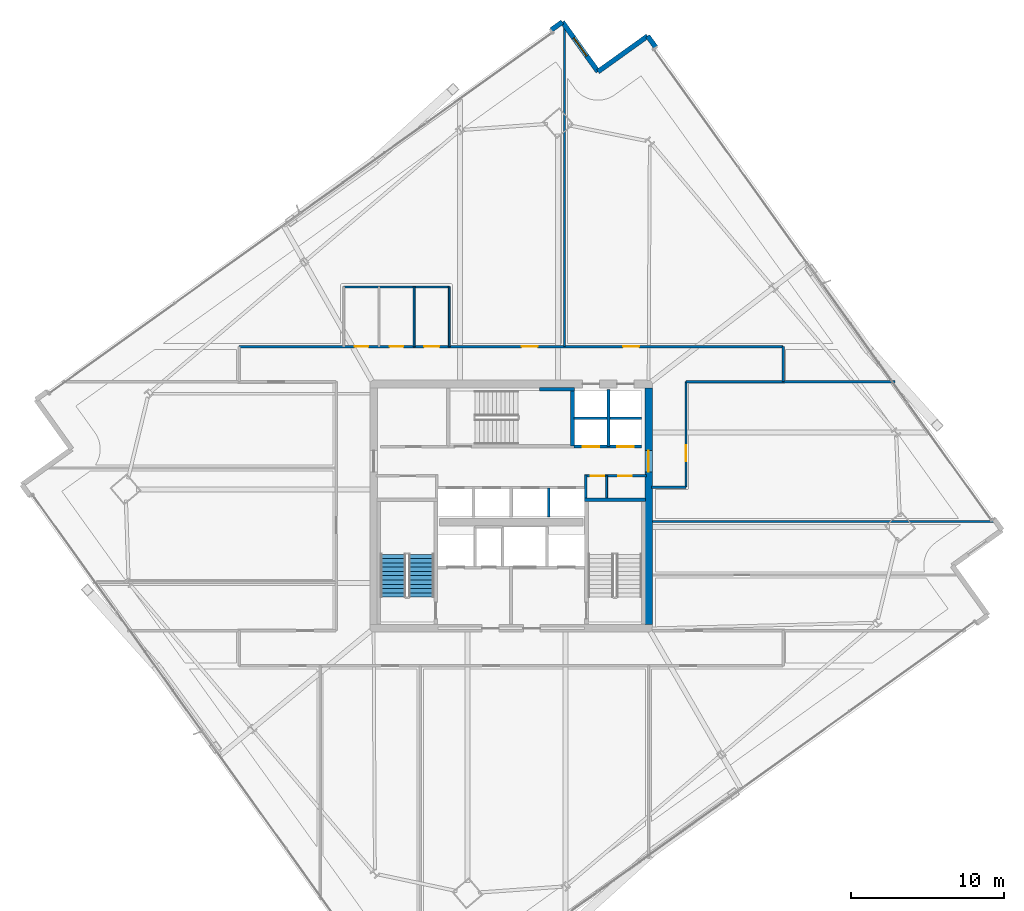
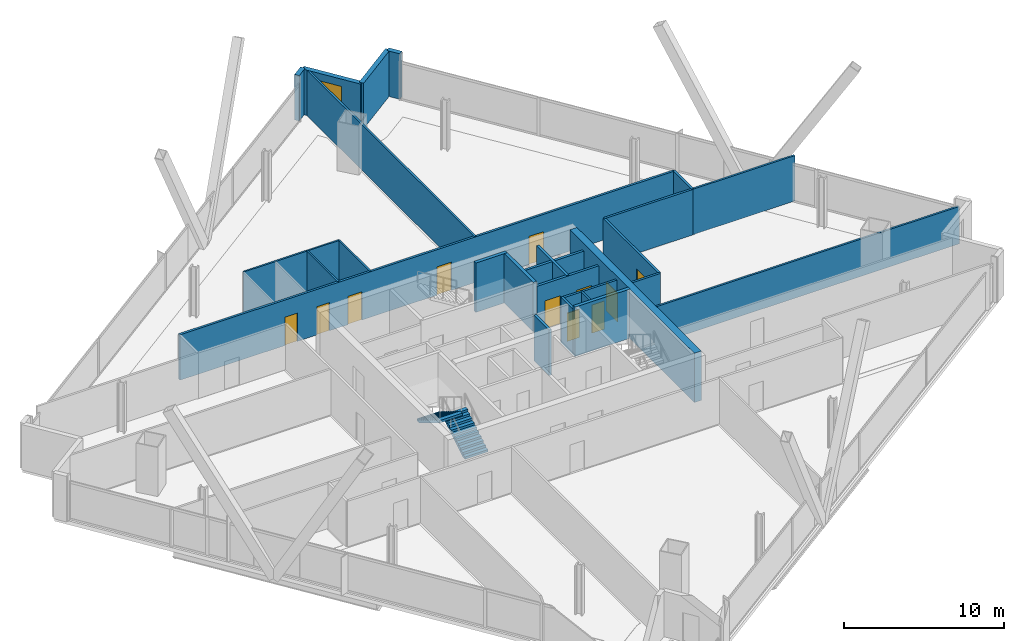
# One storey, part 27 of 33: 26 walls, 11 doors, 2 stair flights, 1 window, 12 openings, 1 element without a shape of its own.
"""IFC4 building model written with IfcOpenShell, lengths in metres."""

from ifc_helpers import new_model, si_unit, direction, frame, frame_2d, origin, place, context, subcontext, project, spatial, polyline, rectangle, outline, extrude, material, layer, layer_set, type_object, element, fill, aggregate, save


model = new_model("IFC4")

# Units and contexts
model_context = context("Model", 3, precision=1e-05, world=origin(), true_north=direction((0.0, 1.0)))
body_context = subcontext(model_context, "Body", "Model", "MODEL_VIEW")
ifc_project = project(units=[si_unit("LENGTHUNIT", "METRE"), si_unit("AREAUNIT", "SQUARE_METRE"), si_unit("VOLUMEUNIT", "CUBIC_METRE"), si_unit("PLANEANGLEUNIT", "RADIAN"), si_unit("MASSUNIT", "GRAM", prefix="KILO")], contexts=[model_context])

# Site, building, storey
site_placement = place(None, origin())
site = spatial("IfcSite", under=ifc_project, at=site_placement, CompositionType="ELEMENT")
building_placement = place(site_placement, origin())
building = spatial("IfcBuilding", under=site, at=building_placement, Name="Haldenkirk Collegiate Tower", CompositionType="ELEMENT")
storey_placement = place(building_placement, frame((0.0, 0.0, 148.199951171875)))
storey = spatial("IfcBuildingStorey", under=building, at=storey_placement, Name="L36", CompositionType="ELEMENT", Elevation=148.199951171875)

# Wall, opening, door
ifc_material_1 = material(Name="Concrete f'c 55 MPa", Category="concrete")
ifc_layer_1 = layer(ifc_material_1, 0.5)
ifc_layer_set_1 = layer_set([ifc_layer_1], Name="Concrete f'c 55 MPa")
wall_type_1 = type_object("IfcWallType", Name="WL-CORE-500", PredefinedType="SHEAR", material=ifc_layer_set_1)
wall_1_placement = place(storey_placement, frame((45.0, 18.25, 0.0), z_axis=(0.0, 0.0, 1.0), x_axis=(0.0, 1.0, 0.0)))
wall_1 = element("IfcWall", 1, at=wall_1_placement, inside=storey, type_object=wall_type_1, Name="L36 central core shear wall E", PredefinedType="SHEAR", context=body_context, shape_type="SweptSolid", body=[
    extrude(rectangle(XDim=15.5, YDim=0.5, at=frame_2d((7.75, 0.0))), origin(), (0.0, 0.0, 1.0), 3.75),
])
opening_1_placement = place(wall_1_placement, frame((9.989990234375, 0.0, 0.0)))
opening_1 = element("IfcOpeningElement", 2, at=opening_1_placement, cuts=wall_1, Name="Opening D-03", PredefinedType="OPENING", context=body_context, shape_type="SweptSolid", body=[
    extrude(rectangle(XDim=1.39990234375, YDim=2.199951171875, at=frame_2d((0.699951171875, 1.10009765625))), frame((0.0, 0.260009765625, 0.0), z_axis=(0.0, -1.0, 0.0), x_axis=(1.0, 0.0, 0.0)), (0.0, 0.0, 1.0), 0.52001953125),
])
ifc_material_2 = material(Name="Galvanized fire-rated hollow steel door", Category="steel")
ifc_layer_2 = layer(ifc_material_2, 0.06005859375)
ifc_layer_set_2 = layer_set([ifc_layer_2], Name="Galvanized fire-rated hollow steel door")
door_type_1 = type_object("IfcDoorType", Name="DR-LOBBY-FD90-1400", OperationType="NOTDEFINED", PredefinedType="DOOR", material=ifc_layer_set_2)
door_1_placement = place(opening_1_placement, origin())
door_1 = element("IfcDoor", 3, at=door_1_placement, inside=storey, type_object=door_type_1, Name="L36 east lift lobby portal", OperationType="DOUBLE_DOOR_SINGLE_SWING", OverallHeight=2.199951171875, OverallWidth=1.39990234375, PredefinedType="DOOR", context=body_context, shape_type="SweptSolid", body=[
    extrude(rectangle(XDim=1.39990234375, YDim=2.199951171875, at=frame_2d((0.699951171875, 1.10009765625))), frame((0.0, 0.02490234375, 0.0), z_axis=(0.0, -1.0, 0.0), x_axis=(1.0, 0.0, 0.0)), (0.0, 0.0, 1.0), 0.050048828125),
])
fill(opening_1, door_1)

# Walls
ifc_material_3 = material(Name="Precast concrete f'c 40 MPa", Category="concrete")
ifc_layer_3 = layer(ifc_material_3, 0.320068359375)
ifc_layer_set_3 = layer_set([ifc_layer_3], Name="Precast concrete f'c 40 MPa")
wall_type_2 = type_object("IfcWallType", Name="WL-EXT-TWR-320", PredefinedType="STANDARD", material=ifc_layer_set_3)
wall_2_placement = place(storey_placement, frame((44.937255859375, 56.776611328125, 0.0), z_axis=(0.0, 0.0, 1.0), x_axis=(0.582981850939, -0.812485176157, 0.0)))
element("IfcWall", 4, at=wall_2_placement, inside=storey, type_object=wall_type_2, Name="L36 precast corner pier EL", PredefinedType="STANDARD", context=body_context, shape_type="SweptSolid", body=[
    extrude(rectangle(XDim=0.89990234375, YDim=0.320068359375, at=frame_2d((0.449951171875, 0.0))), origin(), (0.0, 0.0, 1.0), 3.4599609375),
])
wall_3_placement = place(storey_placement, frame((41.68701171875, 54.4453125, 0.0), z_axis=(0.0, 0.0, 1.0), x_axis=(0.812585382619, 0.582842170707, 0.0)))
element("IfcWall", 5, at=wall_3_placement, inside=storey, type_object=wall_type_2, Name="L36 bronze precast notch wall 05", PredefinedType="STANDARD", context=body_context, shape_type="SweptSolid", body=[
    extrude(rectangle(XDim=4.0, YDim=0.320068359375, at=frame_2d((2.0, 0.0))), origin(), (0.0, 0.0, 1.0), 3.4599609375),
])

# Wall, opening, window
wall_4_placement = place(storey_placement, frame((39.355712890625, 57.69580078125, 0.0), z_axis=(0.0, 0.0, 1.0), x_axis=(0.582813264105, -0.812606115645, 0.0)))
wall_4 = element("IfcWall", 6, at=wall_4_placement, inside=storey, type_object=wall_type_2, Name="L36 bronze precast notch wall 06", PredefinedType="STANDARD", context=body_context, shape_type="SweptSolid", body=[
    extrude(rectangle(XDim=4.0, YDim=0.320068359375, at=frame_2d((2.0, 0.0))), origin(), (0.0, 0.0, 1.0), 3.4599609375),
])
opening_2_placement = place(wall_4_placement, frame((1.27490234375, 0.0, 0.85009765625)))
opening_2 = element("IfcOpeningElement", 7, at=opening_2_placement, cuts=wall_4, Name="Opening W-05", PredefinedType="OPENING", context=body_context, shape_type="SweptSolid", body=[
    extrude(rectangle(XDim=1.449951171875, YDim=2.050048828125, at=frame_2d((0.72509765625, 1.02490234375))), frame((0.0, 0.169921875, 0.0), z_axis=(0.0, -1.0, 0.0), x_axis=(1.0, 0.0, 0.0)), (0.0, 0.0, 1.0), 0.340087890625),
])
ifc_material_4 = material(Name="Low-E argon triple insulating glass", Category="glass")
ifc_layer_4 = layer(ifc_material_4, 0.090087890625)
ifc_layer_set_4 = layer_set([ifc_layer_4], Name="Low-E argon triple insulating glass")
window_type = type_object("IfcWindowType", Name="WN-Z3-1450X2050", PartitioningType="SINGLE_PANEL", PredefinedType="WINDOW", material=ifc_layer_set_4)
window_placement = place(opening_2_placement, origin())
window = element("IfcWindow", 8, at=window_placement, inside=storey, type_object=window_type, Name="L36 precast-frame academic window 5", OverallHeight=2.050048828125, OverallWidth=1.449951171875, PartitioningType="SINGLE_PANEL", PredefinedType="WINDOW", context=body_context, shape_type="SweptSolid", body=[
    extrude(rectangle(XDim=1.449951171875, YDim=2.050048828125, at=frame_2d((0.72509765625, 1.02490234375))), frame((0.0, 0.030029296875, 0.0), z_axis=(0.0, -1.0, 0.0), x_axis=(1.0, 0.0, 0.0)), (0.0, 0.0, 1.0), 0.06005859375),
])
fill(opening_2, window)

# Wall
wall_5_placement = place(storey_placement, frame((38.624267578125, 57.171142578125, 0.0), z_axis=(0.0, 0.0, 1.0), x_axis=(0.812577345209, 0.582853376119, 0.0)))
element("IfcWall", 9, at=wall_5_placement, inside=storey, type_object=wall_type_2, Name="L36 precast corner pier NR", PredefinedType="STANDARD", context=body_context, shape_type="SweptSolid", body=[
    extrude(rectangle(XDim=0.900146484375, YDim=0.320068359375, at=frame_2d((0.4501953125, 0.0))), origin(), (0.0, 0.0, 1.0), 3.4599609375),
])

# Wall, openings, doors
ifc_material_5 = material(Name="Acoustic fire-rated gypsum partition", Category="concrete")
ifc_layer_5 = layer(ifc_material_5, 0.159912109375)
ifc_layer_set_5 = layer_set([ifc_layer_5], Name="Acoustic fire-rated gypsum partition")
wall_type_3 = type_object("IfcWallType", Name="WL-INT-CORR-160", PredefinedType="PARTITIONING", material=ifc_layer_set_5)
wall_6_placement = place(storey_placement, frame((40.800048828125, 27.97998046875, 0.0), z_axis=(0.0, 0.0, 1.0), x_axis=(1.0, 0.0, 0.0)))
wall_6 = element("IfcWall", 10, at=wall_6_placement, inside=storey, type_object=wall_type_3, Name="L36 interior partition IW-L36-VCSE-N", PredefinedType="PARTITIONING", context=body_context, shape_type="SweptSolid", body=[
    extrude(rectangle(XDim=4.050048828125, YDim=0.159912109375, at=frame_2d((2.02490234375, 0.0))), origin(), (0.0, 0.0, 1.0), 3.4599609375),
])
opening_3_placement = place(wall_6_placement, frame((0.407470703125, 0.0, 0.0)))
opening_3 = element("IfcOpeningElement", 11, at=opening_3_placement, cuts=wall_6, Name="Opening D-11", PredefinedType="OPENING", context=body_context, shape_type="SweptSolid", body=[
    extrude(rectangle(XDim=0.89990234375, YDim=2.14990234375, at=frame_2d((0.449951171875, 1.074951171875))), frame((0.0, 0.08984375, 0.0), z_axis=(0.0, -1.0, 0.0), x_axis=(1.0, 0.0, 0.0)), (0.0, 0.0, 1.0), 0.179931640625),
])
opening_4_placement = place(wall_6_placement, frame((2.199951171875, 0.0, 0.0)))
opening_4 = element("IfcOpeningElement", 12, at=opening_4_placement, cuts=wall_6, Name="Opening D-11", PredefinedType="OPENING", context=body_context, shape_type="SweptSolid", body=[
    extrude(rectangle(XDim=0.89990234375, YDim=2.14990234375, at=frame_2d((0.449951171875, 1.074951171875))), frame((0.0, 0.08984375, 0.0), z_axis=(0.0, -1.0, 0.0), x_axis=(1.0, 0.0, 0.0)), (0.0, 0.0, 1.0), 0.179931640625),
])
ifc_material_6 = material(Name="Solid-core architectural oak fire door", Category="wood")
ifc_layer_6 = layer(ifc_material_6, 0.06005859375)
ifc_layer_set_6 = layer_set([ifc_layer_6], Name="Solid-core architectural oak fire door")
door_type_2 = type_object("IfcDoorType", Name="DR-INT-FD60-900", OperationType="NOTDEFINED", PredefinedType="DOOR", material=ifc_layer_set_6)
door_2_placement = place(opening_3_placement, origin())
door_2 = element("IfcDoor", 13, at=door_2_placement, inside=storey, type_object=door_type_2, Name="L36 core copy room door", OperationType="SINGLE_SWING_LEFT", OverallHeight=2.14990234375, OverallWidth=0.89990234375, PredefinedType="DOOR", context=body_context, shape_type="SweptSolid", body=[
    extrude(rectangle(XDim=0.89990234375, YDim=2.14990234375, at=frame_2d((0.449951171875, 1.074951171875))), frame((0.0, 0.02490234375, 0.0), z_axis=(0.0, -1.0, 0.0), x_axis=(1.0, 0.0, 0.0)), (0.0, 0.0, 1.0), 0.050048828125),
])
fill(opening_3, door_2)
door_3_placement = place(opening_4_placement, origin())
door_3 = element("IfcDoor", 14, at=door_3_placement, inside=storey, type_object=door_type_2, Name="L36 core records store door", OperationType="SINGLE_SWING_RIGHT", OverallHeight=2.14990234375, OverallWidth=0.89990234375, PredefinedType="DOOR", context=body_context, shape_type="SweptSolid", body=[
    extrude(rectangle(XDim=0.89990234375, YDim=2.14990234375, at=frame_2d((0.449951171875, 1.074951171875))), frame((0.0, 0.02490234375, 0.0), z_axis=(0.0, -1.0, 0.0), x_axis=(1.0, 0.0, 0.0)), (0.0, 0.0, 1.0), 0.050048828125),
])
fill(opening_4, door_3)

# Wall
wall_7_placement = place(storey_placement, frame((40.8798828125, 26.5400390625, 0.0), z_axis=(0.0, 0.0, 1.0), x_axis=(0.0, 1.0, 0.0)))
element("IfcWall", 15, at=wall_7_placement, inside=storey, type_object=wall_type_3, Name="L36 interior partition IW-L36-VCSE-W", PredefinedType="PARTITIONING", context=body_context, shape_type="SweptSolid", body=[
    extrude(rectangle(XDim=1.510009765625, YDim=0.159912109375, at=frame_2d((0.7548828125, 0.0))), origin(), (0.0, 0.0, 1.0), 3.4599609375),
])

# Wall, openings, doors
wall_8_placement = place(storey_placement, frame((18.199951171875, 36.449951171875, 0.0), z_axis=(0.0, 0.0, 1.0), x_axis=(1.0, 0.0, 0.0)))
wall_8 = element("IfcWall", 16, at=wall_8_placement, inside=storey, type_object=wall_type_3, Name="L36 interior partition IW-L36-CN", PredefinedType="PARTITIONING", context=body_context, shape_type="SweptSolid", body=[
    extrude(rectangle(XDim=35.60009765625, YDim=0.159912109375, at=frame_2d((17.800048828125, 0.0))), origin(), (0.0, 0.0, 1.0), 3.4599609375),
])
opening_5_placement = place(wall_8_placement, frame((7.550048828125, 0.0, 0.0)))
opening_5 = element("IfcOpeningElement", 17, at=opening_5_placement, cuts=wall_8, Name="Opening D-13", PredefinedType="OPENING", context=body_context, shape_type="SweptSolid", body=[
    extrude(rectangle(XDim=0.89990234375, YDim=2.14990234375, at=frame_2d((0.449951171875, 1.074951171875))), frame((0.0, 0.08984375, 0.0), z_axis=(0.0, -1.0, 0.0), x_axis=(1.0, 0.0, 0.0)), (0.0, 0.0, 1.0), 0.179931640625),
])
opening_6_placement = place(wall_8_placement, frame((9.85009765625, 0.0, 0.0)))
opening_6 = element("IfcOpeningElement", 18, at=opening_6_placement, cuts=wall_8, Name="Opening D-13", PredefinedType="OPENING", context=body_context, shape_type="SweptSolid", body=[
    extrude(rectangle(XDim=0.89990234375, YDim=2.14990234375, at=frame_2d((0.449951171875, 1.074951171875))), frame((0.0, 0.08984375, 0.0), z_axis=(0.0, -1.0, 0.0), x_axis=(1.0, 0.0, 0.0)), (0.0, 0.0, 1.0), 0.179931640625),
])
opening_7_placement = place(wall_8_placement, frame((12.10009765625, 0.0, 0.0)))
opening_7 = element("IfcOpeningElement", 19, at=opening_7_placement, cuts=wall_8, Name="Opening D-14", PredefinedType="OPENING", context=body_context, shape_type="SweptSolid", body=[
    extrude(rectangle(XDim=1.0, YDim=2.14990234375, at=frame_2d((0.5, 1.074951171875))), frame((0.0, 0.08984375, 0.0), z_axis=(0.0, -1.0, 0.0), x_axis=(1.0, 0.0, 0.0)), (0.0, 0.0, 1.0), 0.179931640625),
])
opening_8_placement = place(wall_8_placement, frame((18.485107421875, 0.0, 0.0)))
opening_8 = element("IfcOpeningElement", 20, at=opening_8_placement, cuts=wall_8, Name="Opening D-09", PredefinedType="OPENING", context=body_context, shape_type="SweptSolid", body=[
    extrude(rectangle(XDim=1.050048828125, YDim=2.14990234375, at=frame_2d((0.52490234375, 1.074951171875))), frame((0.0, 0.08984375, 0.0), z_axis=(0.0, -1.0, 0.0), x_axis=(1.0, 0.0, 0.0)), (0.0, 0.0, 1.0), 0.179931640625),
])
opening_9_placement = place(wall_8_placement, frame((25.125, 0.0, 0.0)))
opening_9 = element("IfcOpeningElement", 21, at=opening_9_placement, cuts=wall_8, Name="Opening D-09", PredefinedType="OPENING", context=body_context, shape_type="SweptSolid", body=[
    extrude(rectangle(XDim=1.050048828125, YDim=2.14990234375, at=frame_2d((0.52490234375, 1.074951171875))), frame((0.0, 0.08984375, 0.0), z_axis=(0.0, -1.0, 0.0), x_axis=(1.0, 0.0, 0.0)), (0.0, 0.0, 1.0), 0.179931640625),
])
ifc_layer_7 = layer(ifc_material_6, 0.06005859375)
ifc_layer_set_7 = layer_set([ifc_layer_7], Name="Solid-core architectural oak fire door")
door_type_3 = type_object("IfcDoorType", Name="DR-INT-ACC-1000", OperationType="NOTDEFINED", PredefinedType="DOOR", material=ifc_layer_set_7)
door_4_placement = place(opening_7_placement, origin())
door_4 = element("IfcDoor", 22, at=door_4_placement, inside=storey, type_object=door_type_3, Name="L36 Accessible WC door", OperationType="SINGLE_SWING_RIGHT", OverallHeight=2.14990234375, OverallWidth=1.0, PredefinedType="DOOR", context=body_context, shape_type="SweptSolid", body=[
    extrude(rectangle(XDim=1.0, YDim=2.14990234375, at=frame_2d((0.5, 1.074951171875))), frame((0.0, 0.02490234375, 0.0), z_axis=(0.0, -1.0, 0.0), x_axis=(1.0, 0.0, 0.0)), (0.0, 0.0, 1.0), 0.050048828125),
])
fill(opening_7, door_4)
ifc_layer_8 = layer(ifc_material_6, 0.06005859375)
ifc_layer_set_8 = layer_set([ifc_layer_8], Name="Solid-core architectural oak fire door")
door_type_4 = type_object("IfcDoorType", Name="DR-INT-FD60-1050", OperationType="NOTDEFINED", PredefinedType="DOOR", material=ifc_layer_set_8)
door_5_placement = place(opening_8_placement, origin())
door_5 = element("IfcDoor", 23, at=door_5_placement, inside=storey, type_object=door_type_4, Name="L36 Departmental Office 5 door", OperationType="SINGLE_SWING_LEFT", OverallHeight=2.14990234375, OverallWidth=1.050048828125, PredefinedType="DOOR", context=body_context, shape_type="SweptSolid", body=[
    extrude(rectangle(XDim=1.050048828125, YDim=2.14990234375, at=frame_2d((0.52490234375, 1.074951171875))), frame((0.0, 0.02490234375, 0.0), z_axis=(0.0, -1.0, 0.0), x_axis=(1.0, 0.0, 0.0)), (0.0, 0.0, 1.0), 0.050048828125),
])
fill(opening_8, door_5)
door_6_placement = place(opening_9_placement, origin())
door_6 = element("IfcDoor", 24, at=door_6_placement, inside=storey, type_object=door_type_4, Name="L36 Curator Office 6 door", OperationType="SINGLE_SWING_RIGHT", OverallHeight=2.14990234375, OverallWidth=1.050048828125, PredefinedType="DOOR", context=body_context, shape_type="SweptSolid", body=[
    extrude(rectangle(XDim=1.050048828125, YDim=2.14990234375, at=frame_2d((0.52490234375, 1.074951171875))), frame((0.0, 0.02490234375, 0.0), z_axis=(0.0, -1.0, 0.0), x_axis=(1.0, 0.0, 0.0)), (0.0, 0.0, 1.0), 0.050048828125),
])
fill(opening_9, door_6)
ifc_layer_9 = layer(ifc_material_6, 0.06005859375)
ifc_layer_set_9 = layer_set([ifc_layer_9], Name="Solid-core architectural oak fire door")
door_type_5 = type_object("IfcDoorType", Name="DR-INT-STD-900", OperationType="NOTDEFINED", PredefinedType="DOOR", material=ifc_layer_set_9)
door_7_placement = place(opening_5_placement, origin())
door_7 = element("IfcDoor", 25, at=door_7_placement, inside=storey, type_object=door_type_5, Name="L36 Male WC door", OperationType="SINGLE_SWING_RIGHT", OverallHeight=2.14990234375, OverallWidth=0.89990234375, PredefinedType="DOOR", context=body_context, shape_type="SweptSolid", body=[
    extrude(rectangle(XDim=0.89990234375, YDim=2.14990234375, at=frame_2d((0.449951171875, 1.074951171875))), frame((0.0, 0.02490234375, 0.0), z_axis=(0.0, -1.0, 0.0), x_axis=(1.0, 0.0, 0.0)), (0.0, 0.0, 1.0), 0.050048828125),
])
fill(opening_5, door_7)
door_8_placement = place(opening_6_placement, origin())
door_8 = element("IfcDoor", 26, at=door_8_placement, inside=storey, type_object=door_type_5, Name="L36 Female WC door", OperationType="SINGLE_SWING_LEFT", OverallHeight=2.14990234375, OverallWidth=0.89990234375, PredefinedType="DOOR", context=body_context, shape_type="SweptSolid", body=[
    extrude(rectangle(XDim=0.89990234375, YDim=2.14990234375, at=frame_2d((0.449951171875, 1.074951171875))), frame((0.0, 0.02490234375, 0.0), z_axis=(0.0, -1.0, 0.0), x_axis=(1.0, 0.0, 0.0)), (0.0, 0.0, 1.0), 0.050048828125),
])
fill(opening_6, door_8)

# Wall
wall_9_placement = place(storey_placement, frame((47.449951171875, 34.14990234375, 0.0), z_axis=(0.0, 0.0, 1.0), x_axis=(1.0, 0.0, 0.0)))
element("IfcWall", 27, at=wall_9_placement, inside=storey, type_object=wall_type_3, Name="L36 interior partition IW-L36-CNE", PredefinedType="PARTITIONING", context=body_context, shape_type="SweptSolid", body=[
    extrude(rectangle(XDim=6.35009765625, YDim=0.159912109375, at=frame_2d((3.175048828125, 0.0))), origin(), (0.0, 0.0, 1.0), 3.4599609375),
])

# Wall, opening, door
wall_10_placement = place(storey_placement, frame((47.449951171875, 27.25, 0.0), z_axis=(0.0, 0.0, 1.0), x_axis=(0.0, 1.0, 0.0)))
wall_10 = element("IfcWall", 28, at=wall_10_placement, inside=storey, type_object=wall_type_3, Name="L36 interior partition IW-L36-CE", PredefinedType="PARTITIONING", context=body_context, shape_type="SweptSolid", body=[
    extrude(rectangle(XDim=6.89990234375, YDim=0.159912109375, at=frame_2d((3.449951171875, 0.0))), origin(), (0.0, 0.0, 1.0), 3.4599609375),
])
opening_10_placement = place(wall_10_placement, frame((1.68310546875, 0.0, 0.0)))
opening_10 = element("IfcOpeningElement", 29, at=opening_10_placement, cuts=wall_10, Name="Opening D-09", PredefinedType="OPENING", context=body_context, shape_type="SweptSolid", body=[
    extrude(rectangle(XDim=1.050048828125, YDim=2.14990234375, at=frame_2d((0.52490234375, 1.074951171875))), frame((0.0, 0.08984375, 0.0), z_axis=(0.0, -1.0, 0.0), x_axis=(1.0, 0.0, 0.0)), (0.0, 0.0, 1.0), 0.179931640625),
])
door_9_placement = place(opening_10_placement, origin())
door_9 = element("IfcDoor", 30, at=door_9_placement, inside=storey, type_object=door_type_4, Name="L36 Curator Office 12 door", OperationType="SINGLE_SWING_RIGHT", OverallHeight=2.14990234375, OverallWidth=1.050048828125, PredefinedType="DOOR", context=body_context, shape_type="SweptSolid", body=[
    extrude(rectangle(XDim=1.050048828125, YDim=2.14990234375, at=frame_2d((0.52490234375, 1.074951171875))), frame((0.0, 0.02490234375, 0.0), z_axis=(0.0, -1.0, 0.0), x_axis=(1.0, 0.0, 0.0)), (0.0, 0.0, 1.0), 0.050048828125),
])
fill(opening_10, door_9)

# Walls
wall_11_placement = place(storey_placement, frame((45.199951171875, 27.25, 0.0), z_axis=(0.0, 0.0, 1.0), x_axis=(1.0, 0.0, 0.0)))
element("IfcWall", 31, at=wall_11_placement, inside=storey, type_object=wall_type_3, Name="L36 interior partition IW-L36-CES", PredefinedType="PARTITIONING", context=body_context, shape_type="SweptSolid", body=[
    extrude(rectangle(XDim=2.25, YDim=0.159912109375, at=frame_2d((1.125, 0.0))), origin(), (0.0, 0.0, 1.0), 3.4599609375),
])
wall_12_placement = place(storey_placement, frame((53.800048828125, 34.14990234375, 0.0), z_axis=(0.0, 0.0, 1.0), x_axis=(0.0, 1.0, 0.0)))
element("IfcWall", 32, at=wall_12_placement, inside=storey, type_object=wall_type_3, Name="L36 interior partition IW-L36-CNR", PredefinedType="PARTITIONING", context=body_context, shape_type="SweptSolid", body=[
    extrude(rectangle(XDim=2.300048828125, YDim=0.159912109375, at=frame_2d((1.14990234375, 0.0))), origin(), (0.0, 0.0, 1.0), 3.4599609375),
])
ifc_layer_10 = layer(ifc_material_5, 0.139892578125)
ifc_layer_set_10 = layer_set([ifc_layer_10], Name="Acoustic fire-rated gypsum partition")
wall_type_4 = type_object("IfcWallType", Name="WL-INT-DIV-140", PredefinedType="PARTITIONING", material=ifc_layer_set_10)
wall_13_placement = place(storey_placement, frame((53.800048828125, 34.14990234375, 0.0), z_axis=(0.0, 0.0, 1.0), x_axis=(1.0, 0.0, 0.0)))
element("IfcWall", 33, at=wall_13_placement, inside=storey, type_object=wall_type_4, Name="L36 interior partition IW-L36-BEN", PredefinedType="PARTITIONING", context=body_context, shape_type="SweptSolid", body=[
    extrude(rectangle(XDim=7.317138671875, YDim=0.139892578125, at=frame_2d((3.65869140625, 0.0))), origin(), (0.0, 0.0, 1.0), 3.4599609375),
])
wall_14_placement = place(storey_placement, frame((39.5, 36.449951171875, 0.0), z_axis=(0.0, 0.0, 1.0), x_axis=(0.0, 1.0, 0.0)))
element("IfcWall", 34, at=wall_14_placement, inside=storey, type_object=wall_type_4, Name="L36 interior partition IW-L36-RN1", PredefinedType="PARTITIONING", context=body_context, shape_type="SweptSolid", body=[
    extrude(rectangle(XDim=20.975830078125, YDim=0.139892578125, at=frame_2d((10.48779296875, 0.0))), origin(), (0.0, 0.0, 1.0), 3.4599609375),
])
wall_15_placement = place(storey_placement, frame((45.25, 25.0, 0.0), z_axis=(0.0, 0.0, 1.0), x_axis=(1.0, 0.0, 0.0)))
element("IfcWall", 35, at=wall_15_placement, inside=storey, type_object=wall_type_4, Name="L36 interior partition IW-L36-RE2", PredefinedType="PARTITIONING", context=body_context, shape_type="SweptSolid", body=[
    extrude(rectangle(XDim=22.429931640625, YDim=0.139892578125, at=frame_2d((11.21484375, 0.0))), origin(), (0.0, 0.0, 1.0), 2.839111328125),
])

# Wall, openings, doors
ifc_material_7 = material(Name="Fire-rated gypsum shaftboard assembly", Category="concrete")
ifc_layer_11 = layer(ifc_material_7, 0.179931640625)
ifc_layer_set_11 = layer_set([ifc_layer_11], Name="Fire-rated gypsum shaftboard assembly")
wall_type_5 = type_object("IfcWallType", Name="WL-INT-SHAFT-180", PredefinedType="PARTITIONING", material=ifc_layer_set_11)
wall_16_placement = place(storey_placement, frame((40.1201171875, 29.89990234375, 0.0), z_axis=(0.0, 0.0, 1.0), x_axis=(1.0, 0.0, 0.0)))
wall_16 = element("IfcWall", 36, at=wall_16_placement, inside=storey, type_object=wall_type_5, Name="L36 interior partition IW-L36-PMS", PredefinedType="PARTITIONING", context=body_context, shape_type="SweptSolid", body=[
    extrude(rectangle(XDim=4.429931640625, YDim=0.179931640625, at=frame_2d((2.21484375, 0.0))), origin(), (0.0, 0.0, 1.0), 3.4599609375),
])
opening_11_placement = place(wall_16_placement, frame((0.56494140625, 0.0, 0.0)))
opening_11 = element("IfcOpeningElement", 37, at=opening_11_placement, cuts=wall_16, Name="Opening LD-11", PredefinedType="OPENING", context=body_context, shape_type="SweptSolid", body=[
    extrude(rectangle(XDim=1.10009765625, YDim=2.14990234375, at=frame_2d((0.550048828125, 1.074951171875))), frame((0.0, 0.099853515625, 0.0), z_axis=(0.0, -1.0, 0.0), x_axis=(1.0, 0.0, 0.0)), (0.0, 0.0, 1.0), 0.199951171875),
])
opening_12_placement = place(wall_16_placement, frame((2.81494140625, 0.0, 0.0)))
opening_12 = element("IfcOpeningElement", 38, at=opening_12_placement, cuts=wall_16, Name="Opening LD-11", PredefinedType="OPENING", context=body_context, shape_type="SweptSolid", body=[
    extrude(rectangle(XDim=1.10009765625, YDim=2.14990234375, at=frame_2d((0.550048828125, 1.074951171875))), frame((0.0, 0.099853515625, 0.0), z_axis=(0.0, -1.0, 0.0), x_axis=(1.0, 0.0, 0.0)), (0.0, 0.0, 1.0), 0.199951171875),
])
ifc_material_8 = material(Name="Brushed architectural stainless steel", Category="steel")
ifc_layer_12 = layer(ifc_material_8, 0.06005859375)
ifc_layer_set_12 = layer_set([ifc_layer_12], Name="Brushed architectural stainless steel")
door_type_6 = type_object("IfcDoorType", Name="LD-PASS-1100", OperationType="NOTDEFINED", PredefinedType="DOOR", material=ifc_layer_set_12)
door_10_placement = place(opening_11_placement, origin())
door_10 = element("IfcDoor", 39, at=door_10_placement, inside=storey, type_object=door_type_6, Name="L36 Elevator PM1 sliding landing door", OperationType="SLIDING_TO_LEFT", OverallHeight=2.14990234375, OverallWidth=1.10009765625, PredefinedType="DOOR", context=body_context, shape_type="SweptSolid", body=[
    extrude(rectangle(XDim=1.10009765625, YDim=2.14990234375, at=frame_2d((0.550048828125, 1.074951171875))), frame((0.0, 0.02490234375, 0.0), z_axis=(0.0, -1.0, 0.0), x_axis=(1.0, 0.0, 0.0)), (0.0, 0.0, 1.0), 0.050048828125),
])
fill(opening_11, door_10)
door_11_placement = place(opening_12_placement, origin())
door_11 = element("IfcDoor", 40, at=door_11_placement, inside=storey, type_object=door_type_6, Name="L36 Elevator PM2 sliding landing door", OperationType="SLIDING_TO_LEFT", OverallHeight=2.14990234375, OverallWidth=1.10009765625, PredefinedType="DOOR", context=body_context, shape_type="SweptSolid", body=[
    extrude(rectangle(XDim=1.10009765625, YDim=2.14990234375, at=frame_2d((0.550048828125, 1.074951171875))), frame((0.0, 0.02490234375, 0.0), z_axis=(0.0, -1.0, 0.0), x_axis=(1.0, 0.0, 0.0)), (0.0, 0.0, 1.0), 0.050048828125),
])
fill(opening_12, door_11)

# Walls
wall_17_placement = place(storey_placement, frame((40.1201171875, 31.75, 0.0), z_axis=(0.0, 0.0, 1.0), x_axis=(1.0, 0.0, 0.0)))
element("IfcWall", 41, at=wall_17_placement, inside=storey, type_object=wall_type_5, Name="L36 interior partition IW-L36-PMM", PredefinedType="PARTITIONING", context=body_context, shape_type="SweptSolid", body=[
    extrude(rectangle(XDim=4.429931640625, YDim=0.179931640625, at=frame_2d((2.21484375, 0.0))), origin(), (0.0, 0.0, 1.0), 3.4599609375),
])
wall_18_placement = place(storey_placement, frame((42.3701171875, 29.89990234375, 0.0), z_axis=(0.0, 0.0, 1.0), x_axis=(0.0, 1.0, 0.0)))
element("IfcWall", 42, at=wall_18_placement, inside=storey, type_object=wall_type_5, Name="L36 interior partition IW-L36-PMV", PredefinedType="PARTITIONING", context=body_context, shape_type="SweptSolid", body=[
    extrude(rectangle(XDim=3.75, YDim=0.179931640625, at=frame_2d((1.875, 0.0))), origin(), (0.0, 0.0, 1.0), 3.4599609375),
])
wall_19_placement = place(storey_placement, frame((38.4599609375, 25.300048828125, 0.0), z_axis=(0.0, 0.0, 1.0), x_axis=(0.0, 1.0, 0.0)))
element("IfcWall", 43, at=wall_19_placement, inside=storey, type_object=wall_type_5, Name="L36 interior partition IW-L36-PHV3", PredefinedType="PARTITIONING", context=body_context, shape_type="SweptSolid", body=[
    extrude(rectangle(XDim=1.89990234375, YDim=0.179931640625, at=frame_2d((0.949951171875, 0.0))), origin(), (0.0, 0.0, 1.0), 3.4599609375),
])
ifc_layer_13 = layer(ifc_material_5, 0.1201171875)
ifc_layer_set_13 = layer_set([ifc_layer_13], Name="Acoustic fire-rated gypsum partition")
wall_type_6 = type_object("IfcWallType", Name="WL-INT-WET-120", PredefinedType="PARTITIONING", material=ifc_layer_set_13)
wall_20_placement = place(storey_placement, frame((42.25, 26.5400390625, 0.0), z_axis=(0.0, 0.0, 1.0), x_axis=(0.0, 1.0, 0.0)))
element("IfcWall", 44, at=wall_20_placement, inside=storey, type_object=wall_type_6, Name="L36 interior partition IW-L36-VCSE-M", PredefinedType="PARTITIONING", context=body_context, shape_type="SweptSolid", body=[
    extrude(rectangle(XDim=1.43994140625, YDim=0.1201171875, at=frame_2d((0.719970703125, 0.0))), origin(), (0.0, 0.0, 1.0), 3.4599609375),
])
for number, where, z_axis, x_axis, name in (
    (45, (29.64990234375, 36.449951171875, 0.0), (0.0, 0.0, 1.0), (0.0, 1.0, 0.0), "L36 interior partition IW-L36-WC2"),
    (46, (31.949951171875, 36.449951171875, 0.0), (0.0, 0.0, 1.0), (0.0, 1.0, 0.0), "L36 interior partition IW-L36-WCE"),
):
    element("IfcWall", number, at=place(storey_placement, frame(where, z_axis=z_axis, x_axis=x_axis)), inside=storey, type_object=wall_type_6, Name=name, PredefinedType="PARTITIONING", context=body_context, shape_type="SweptSolid", body=[
        extrude(rectangle(XDim=3.900146484375, YDim=0.1201171875, at=frame_2d((1.9501953125, 0.0))), origin(), (0.0, 0.0, 1.0), 3.4599609375),
    ])
wall_21_placement = place(storey_placement, frame((25.050048828125, 40.35009765625, 0.0), z_axis=(0.0, 0.0, 1.0), x_axis=(1.0, 0.0, 0.0)))
element("IfcWall", 47, at=wall_21_placement, inside=storey, type_object=wall_type_6, Name="L36 interior partition IW-L36-WCB", PredefinedType="PARTITIONING", context=body_context, shape_type="SweptSolid", body=[
    extrude(rectangle(XDim=6.89990234375, YDim=0.1201171875, at=frame_2d((3.449951171875, 0.0))), origin(), (0.0, 0.0, 1.0), 3.4599609375),
])
ifc_layer_14 = layer(ifc_material_1, 0.239990234375)
ifc_layer_set_14 = layer_set([ifc_layer_14], Name="Concrete f'c 55 MPa")
wall_type_7 = type_object("IfcWallType", Name="WL-SHAFT-240", PredefinedType="SHEAR", material=ifc_layer_set_14)
wall_22_placement = place(storey_placement, frame((40.81005859375, 26.419921875, 0.0), z_axis=(0.0, 0.0, 1.0), x_axis=(1.0, 0.0, 0.0)))
element("IfcWall", 48, at=wall_22_placement, inside=storey, type_object=wall_type_7, Name="L36 stair shaft shear wall SW-L36-ST2N", PredefinedType="SHEAR", context=body_context, shape_type="SweptSolid", body=[
    extrude(rectangle(XDim=3.97998046875, YDim=0.239990234375, at=frame_2d((1.989990234375, 0.0))), origin(), (0.0, 0.0, 1.0), 3.75),
])
wall_23_placement = place(storey_placement, frame((40.02001953125, 29.929931640625, 0.0), z_axis=(0.0, 0.0, 1.0), x_axis=(0.0, 1.0, 0.0)))
element("IfcWall", 49, at=wall_23_placement, inside=storey, type_object=wall_type_7, Name="L36 stair shaft shear wall SW-L36-ST3E", PredefinedType="SHEAR", context=body_context, shape_type="SweptSolid", body=[
    extrude(rectangle(XDim=3.85009765625, YDim=0.239990234375, at=frame_2d((1.925048828125, 0.0))), origin(), (0.0, 0.0, 1.0), 3.75),
])
wall_24_placement = place(storey_placement, frame((37.85009765625, 33.659912109375, 0.0), z_axis=(0.0, 0.0, 1.0), x_axis=(1.0, 0.0, 0.0)))
element("IfcWall", 50, at=wall_24_placement, inside=storey, type_object=wall_type_7, Name="L36 stair shaft shear wall SW-L36-ST3N", PredefinedType="SHEAR", context=body_context, shape_type="SweptSolid", body=[
    extrude(rectangle(XDim=2.289794921875, YDim=0.239990234375, at=frame_2d((1.14501953125, 0.0))), origin(), (0.0, 0.0, 1.0), 3.75),
])

# Stair, stair flights
ifc_material_9 = material(Name="Concrete f'c 40 MPa", Category="concrete")
stair_type = type_object("IfcStairType", Name="STR-DOGLEG-1650", PredefinedType="HALF_TURN_STAIR", material=ifc_material_9)
stair_placement = place(storey_placement, origin())
stair = element("IfcStair", 51, at=stair_placement, inside=storey, type_object=stair_type, Name="L36 Core Exit Stair ST-1", PredefinedType="HALF_TURN_STAIR")
stair_flight_type = type_object("IfcStairFlightType", Name="STF-FLIGHT-1650", PredefinedType="STRAIGHT", material=ifc_material_9)
stair_flight_1_placement = place(storey_placement, frame((30.125, 20.050048828125, 0.0), z_axis=(0.0, 0.0, 1.0), x_axis=(0.0, 1.0, 0.0)))
stair_flight_1 = element("IfcStairFlight", 52, at=stair_flight_1_placement, type_object=stair_flight_type, Name="ST-1 flight 1", NumberOfRisers=11, NumberOfTreads=10, PredefinedType="STRAIGHT", RiserHeight=0.170454545, TreadLength=0.28, context=body_context, shape_type="SweptSolid", body=[
    extrude(outline(polyline([(0.0, 0.0), (0.0, 0.17041015625), (0.280029296875, 0.17041015625), (0.280029296875, 0.3408203125), (0.56005859375, 0.3408203125), (0.56005859375, 0.511474609375), (0.840087890625, 0.511474609375), (0.840087890625, 0.681884765625), (1.1201171875, 0.681884765625), (1.1201171875, 0.852294921875), (1.39990234375, 0.852294921875), (1.39990234375, 1.022705078125), (1.679931640625, 1.022705078125), (1.679931640625, 1.193115234375), (1.9599609375, 1.193115234375), (1.9599609375, 1.363525390625), (2.239990234375, 1.363525390625), (2.239990234375, 1.5341796875), (2.52001953125, 1.5341796875), (2.52001953125, 1.70458984375), (2.800048828125, 1.70458984375), (2.800048828125, 1.875), (2.800048828125, 1.529052734375), (0.288330078125, 0.0), (0.0, 0.0)])), frame((0.0, 0.824951171875, 0.0), z_axis=(0.0, -1.0, 0.0), x_axis=(1.0, 0.0, 0.0)), (0.0, 0.0, 1.0), 1.64990234375),
])
stair_flight_2_placement = place(storey_placement, frame((28.27490234375, 22.85009765625, 1.875), z_axis=(0.0, 0.0, 1.0), x_axis=(0.0, -1.0, 0.0)))
stair_flight_2 = element("IfcStairFlight", 53, at=stair_flight_2_placement, type_object=stair_flight_type, Name="ST-1 flight 2", NumberOfRisers=11, NumberOfTreads=10, PredefinedType="STRAIGHT", RiserHeight=0.170454545, TreadLength=0.28, context=body_context, shape_type="SweptSolid", body=[
    extrude(outline(polyline([(0.0, 0.0), (0.0, 0.17041015625), (0.280029296875, 0.17041015625), (0.280029296875, 0.3408203125), (0.56005859375, 0.3408203125), (0.56005859375, 0.511474609375), (0.840087890625, 0.511474609375), (0.840087890625, 0.681884765625), (1.1201171875, 0.681884765625), (1.1201171875, 0.852294921875), (1.39990234375, 0.852294921875), (1.39990234375, 1.022705078125), (1.679931640625, 1.022705078125), (1.679931640625, 1.193115234375), (1.9599609375, 1.193115234375), (1.9599609375, 1.363525390625), (2.239990234375, 1.363525390625), (2.239990234375, 1.5341796875), (2.52001953125, 1.5341796875), (2.52001953125, 1.70458984375), (2.800048828125, 1.70458984375), (2.800048828125, 1.875), (2.800048828125, 1.529052734375), (0.288330078125, 0.0), (0.0, 0.0)])), frame((0.0, 0.824951171875, 0.0), z_axis=(0.0, -1.0, 0.0), x_axis=(1.0, 0.0, 0.0)), (0.0, 0.0, 1.0), 1.64990234375),
])
aggregate(stair, [stair_flight_1, stair_flight_2])

save(model, "model.ifc")
